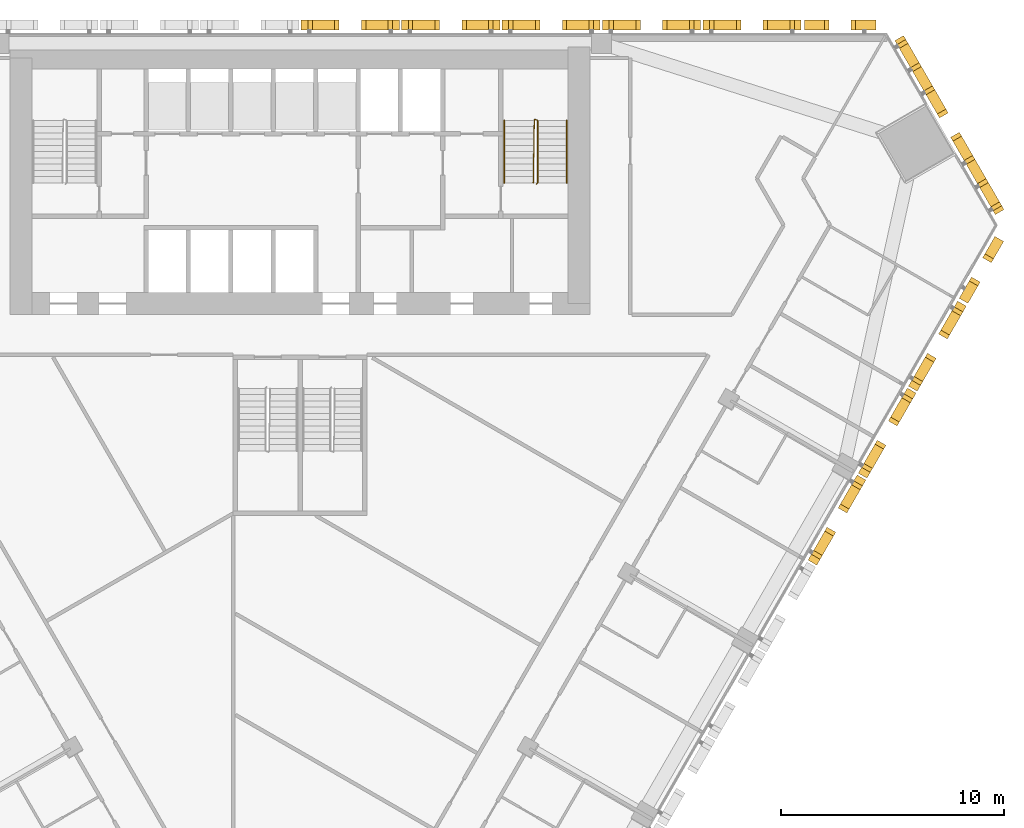
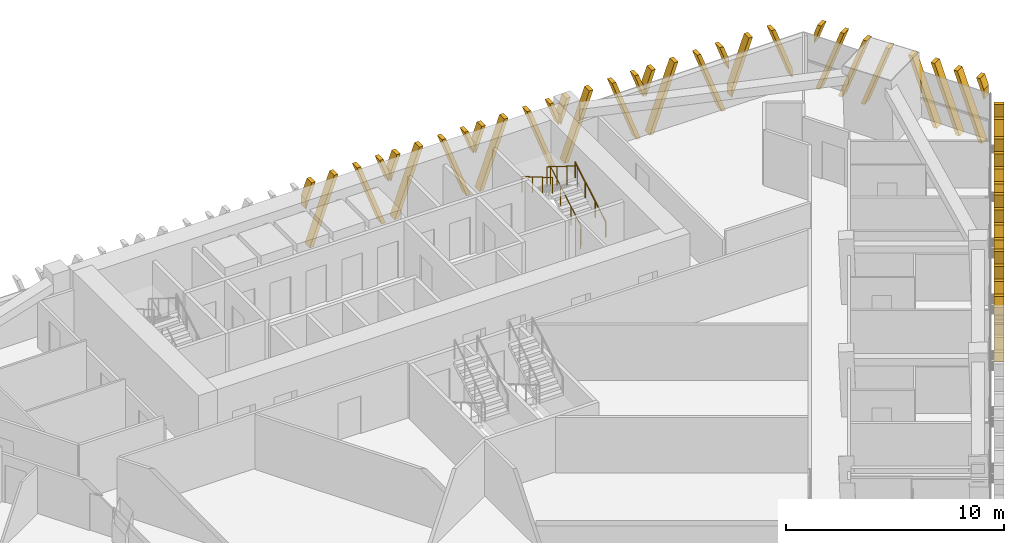
# One storey, part 16 of 17: 11 shading devices, 3 railings.
"""IFC4 building model written with IfcOpenShell, lengths in metres."""

from ifc_helpers import new_model, si_unit, direction, frame, origin, origin_2d, place, context, subcontext, project, spatial, polyline, circle, outline, extrude, source, transform, mapped, material, type_object, element, save


model = new_model("IFC4")

# Units and contexts
model_context = context("Model", 3, precision=1e-05, world=origin(), true_north=direction((0.0, 1.0)))
body_context = subcontext(model_context, "Body", "Model", "MODEL_VIEW")
ifc_project = project(units=[si_unit("LENGTHUNIT", "METRE"), si_unit("AREAUNIT", "SQUARE_METRE"), si_unit("VOLUMEUNIT", "CUBIC_METRE"), si_unit("PLANEANGLEUNIT", "RADIAN"), si_unit("MASSUNIT", "GRAM", prefix="KILO")], contexts=[model_context])

# Site, building, storey
site_placement = place(None, origin())
site = spatial("IfcSite", under=ifc_project, at=site_placement, CompositionType="ELEMENT")
building_placement = place(site_placement, origin())
building = spatial("IfcBuilding", under=site, at=building_placement, Name="Altiplano Prism Tower", CompositionType="ELEMENT")
storey_placement = place(building_placement, frame((0.0, 0.0, 30.60009765625)))
storey = spatial("IfcBuildingStorey", under=building, at=storey_placement, Name="L06", CompositionType="ELEMENT", Elevation=30.60009765625)

# Railings
ifc_material_1 = material(Name="Steel S355", Category="steel")
railing_type_1 = type_object("IfcRailingType", Name="Stair guard 1100", PredefinedType="GUARDRAIL", material=ifc_material_1)
railing_1_placement = place(storey_placement, frame((95.60009765625, 98.25, 0.0)))
element("IfcRailing", 1, at=railing_1_placement, inside=storey, type_object=railing_type_1, Name="L06 ST2 stair guard 1", PredefinedType="GUARDRAIL", context=body_context, shape_type="SweptSolid", body=[
    extrude(circle(Radius=0.02392578125, at=origin_2d()), frame((0.0, 0.0, 1.076171875), z_axis=(0.279546231943, 0.280916556609, 0.91811752648), x_axis=(-0.708833529934, 0.705375805398, 0.0)), (0.0, 0.0, 1.0), 0.17822265625),
    extrude(circle(Radius=0.02392578125, at=origin_2d()), frame((0.0498046875, 0.050048828125, 1.23974609375), z_axis=(0.0, 0.863393664356, 0.504530851732), x_axis=(-1.0, 0.0, 0.0)), (0.0, 0.0, 1.0), 3.2431640625),
    extrude(circle(Radius=0.02392578125, at=origin_2d()), frame((0.0498046875, 2.85009765625, 2.8759765625), z_axis=(-0.948991962702, 0.315300261223, 0.0), x_axis=(-0.315300261223, -0.948991962702, 0.0)), (0.0, 0.0, 1.0), 0.157958984375),
    extrude(circle(Radius=0.02392578125, at=origin_2d()), frame((-0.10009765625, 2.89990234375, 2.8759765625), z_axis=(-0.014846418356, -0.845376787675, 0.533964109957), x_axis=(0.999845825584, -0.017559187376, 0.0)), (0.0, 0.0, 1.0), 3.37109375),
    extrude(circle(Radius=0.02099609375, at=origin_2d()), origin(), (0.0, 0.0, 1.0), 1.052001953125),
    extrude(circle(Radius=0.02099609375, at=origin_2d()), frame((0.0498046875, 0.050048828125, 0.16357421875)), (0.0, 0.0, 1.0), 1.052001953125),
    extrude(circle(Radius=0.02099609375, at=origin_2d()), frame((0.0498046875, 0.9833984375, 0.708984375)), (0.0, 0.0, 1.0), 1.052001953125),
    extrude(circle(Radius=0.02099609375, at=origin_2d()), frame((0.0498046875, 1.916748046875, 1.25439453125)), (0.0, 0.0, 1.0), 1.052001953125),
    extrude(circle(Radius=0.02099609375, at=origin_2d()), frame((0.0498046875, 2.85009765625, 1.7998046875)), (0.0, 0.0, 1.0), 1.052001953125),
    extrude(circle(Radius=0.02099609375, at=origin_2d()), frame((-0.10009765625, 2.89990234375, 1.7998046875)), (0.0, 0.0, 1.0), 1.052001953125),
    extrude(circle(Radius=0.02099609375, at=origin_2d()), frame((-0.11669921875, 1.949951171875, 2.39990234375)), (0.0, 0.0, 1.0), 1.052001953125),
    extrude(circle(Radius=0.02099609375, at=origin_2d()), frame((-0.133544921875, 1.0, 2.999755859375)), (0.0, 0.0, 1.0), 1.052001953125),
    extrude(circle(Radius=0.02099609375, at=origin_2d()), frame((-0.150146484375, 0.050048828125, 3.599853515625)), (0.0, 0.0, 1.0), 1.052001953125),
])
railing_type_2 = type_object("IfcRailingType", Name="Stair handrail 900", PredefinedType="HANDRAIL", material=ifc_material_1)
railing_2_placement = place(storey_placement, frame((96.949951171875, 98.300048828125, 0.16357421875)))
element("IfcRailing", 2, at=railing_2_placement, inside=storey, type_object=railing_type_2, Name="L06 ST2 stair handrail 1", PredefinedType="HANDRAIL", context=body_context, shape_type="SweptSolid", body=[
    extrude(circle(Radius=0.02392578125, at=origin_2d()), frame((0.0, 0.0, 0.8759765625), z_axis=(0.0, 0.863393664356, 0.504530851732), x_axis=(-1.0, 0.0, 0.0)), (0.0, 0.0, 1.0), 3.2431640625),
    extrude(circle(Radius=0.02099609375, at=origin_2d()), origin(), (0.0, 0.0, 1.0), 0.851806640625),
    extrude(circle(Radius=0.02099609375, at=origin_2d()), frame((0.0, 0.933349609375, 0.54541015625)), (0.0, 0.0, 1.0), 0.851806640625),
    extrude(circle(Radius=0.02099609375, at=origin_2d()), frame((0.0, 1.86669921875, 1.0908203125)), (0.0, 0.0, 1.0), 0.851806640625),
    extrude(circle(Radius=0.02099609375, at=origin_2d()), frame((0.0, 2.800048828125, 1.63623046875)), (0.0, 0.0, 1.0), 0.851806640625),
])
railing_3_placement = place(storey_placement, frame((94.14990234375, 101.10009765625, 1.963623046875)))
element("IfcRailing", 3, at=railing_3_placement, inside=storey, type_object=railing_type_2, Name="L06 ST2 stair handrail 2", PredefinedType="HANDRAIL", context=body_context, shape_type="SweptSolid", body=[
    extrude(circle(Radius=0.02392578125, at=origin_2d()), frame((0.0, 0.0, 0.8759765625), z_axis=(0.0, -0.863393664356, 0.504530851732), x_axis=(1.0, 0.0, 0.0)), (0.0, 0.0, 1.0), 3.2431640625),
    extrude(circle(Radius=0.02099609375, at=origin_2d()), origin(), (0.0, 0.0, 1.0), 0.851806640625),
    extrude(circle(Radius=0.02099609375, at=origin_2d()), frame((0.0, -0.933349609375, 0.54541015625)), (0.0, 0.0, 1.0), 0.851806640625),
    extrude(circle(Radius=0.02099609375, at=origin_2d()), frame((0.0, -1.86669921875, 1.0908203125)), (0.0, 0.0, 1.0), 0.851806640625),
    extrude(circle(Radius=0.02099609375, at=origin_2d()), frame((0.0, -2.800048828125, 1.63623046875)), (0.0, 0.0, 1.0), 0.851806640625),
])

# Shading devices
ifc_material_2 = material(Name="Warm limestone cast stone", Category="masonry")
shading_device_type_1 = type_object("IfcShadingDeviceType", Name="Stone fin panel, narrow closing bay", PredefinedType="USERDEFINED", material=ifc_material_2)
shared_shape_1 = source(origin(), body_context, "Body", "SweptSolid", [
    extrude(outline(polyline([(-1.60009765625, 0.577880859375), (-0.5, 3.60009765625), (-0.699951171875, 3.60009765625), (-1.60009765625, 1.127197265625), (-1.60009765625, 0.577880859375)])), frame((0.0, -0.14990234375, 0.0), z_axis=(0.0, -1.0, 0.0), x_axis=(1.0, 0.0, 0.0)), (0.0, 0.0, 1.0), 0.4501953125),
    extrude(outline(polyline([(1.60009765625, 1.127197265625), (0.699951171875, 3.60009765625), (0.5, 3.60009765625), (1.60009765625, 0.577880859375), (1.60009765625, 1.127197265625)])), frame((0.0, -0.14990234375, 0.0), z_axis=(0.0, -1.0, 0.0), x_axis=(1.0, 0.0, 0.0)), (0.0, 0.0, 1.0), 0.4501953125),
])
shading_device_1_placement = place(storey_placement, origin())
element("IfcShadingDevice", 4, at=shading_device_1_placement, inside=storey, type_object=shading_device_type_1, Name="Fin L06 north face 1", ObjectType="FIN", PredefinedType="USERDEFINED", context=body_context, shape_type="MappedRepresentation", body=[
    mapped(shared_shape_1, transform((109.195068359375, 105.0, -0.5), x_axis=(-1.0, 0.0, 0.0), y_axis=(0.0, -1.0, 0.0), z_axis=(0.0, 0.0, 1.0))),
])
shading_device_2_placement = place(storey_placement, origin())
element("IfcShadingDevice", 5, at=shading_device_2_placement, inside=storey, type_object=shading_device_type_1, Name="Fin L06 south-east face 12", ObjectType="FIN", PredefinedType="USERDEFINED", context=body_context, shape_type="MappedRepresentation", body=[
    mapped(shared_shape_1, transform((115.2041015625, 94.592041015625, -0.5), x_axis=(0.50000000184, 0.866025402722, 0.0), y_axis=(-0.866025402722, 0.50000000184, 0.0), z_axis=(0.0, 0.0, 1.0))),
])
shading_device_type_2 = type_object("IfcShadingDeviceType", Name="Stone fin panel, standard unit", PredefinedType="USERDEFINED", material=ifc_material_2)
shared_shape_2 = source(origin(), body_context, "Body", "SweptSolid", [
    extrude(outline(polyline([(-2.199951171875, 2.226318359375), (-1.699951171875, 3.60009765625), (-1.89990234375, 3.60009765625), (-2.199951171875, 2.77587890625), (-2.199951171875, 2.226318359375)])), frame((0.0, -0.14990234375, 0.0), z_axis=(0.0, -1.0, 0.0), x_axis=(1.0, 0.0, 0.0)), (0.0, 0.0, 1.0), 0.4501953125),
    extrude(outline(polyline([(-2.01025390625, 0.0), (-1.810302734375, 0.0), (-0.5, 3.60009765625), (-0.699951171875, 3.60009765625), (-2.01025390625, 0.0)])), frame((0.0, -0.14990234375, 0.0), z_axis=(0.0, -1.0, 0.0), x_axis=(1.0, 0.0, 0.0)), (0.0, 0.0, 1.0), 0.4501953125),
    extrude(outline(polyline([(1.810302734375, 0.0), (2.01025390625, 0.0), (0.699951171875, 3.60009765625), (0.5, 3.60009765625), (1.810302734375, 0.0)])), frame((0.0, -0.14990234375, 0.0), z_axis=(0.0, -1.0, 0.0), x_axis=(1.0, 0.0, 0.0)), (0.0, 0.0, 1.0), 0.4501953125),
    extrude(outline(polyline([(2.199951171875, 2.77587890625), (1.89990234375, 3.60009765625), (1.699951171875, 3.60009765625), (2.199951171875, 2.226318359375), (2.199951171875, 2.77587890625)])), frame((0.0, -0.14990234375, 0.0), z_axis=(0.0, -1.0, 0.0), x_axis=(1.0, 0.0, 0.0)), (0.0, 0.0, 1.0), 0.4501953125),
])
shading_device_3_placement = place(storey_placement, origin())
element("IfcShadingDevice", 6, at=shading_device_3_placement, inside=storey, type_object=shading_device_type_2, Name="Fin L06 north face 2", ObjectType="FIN", PredefinedType="USERDEFINED", context=body_context, shape_type="MappedRepresentation", body=[
    mapped(shared_shape_2, transform((105.25, 105.0, -0.5), x_axis=(-1.0, 0.0, 0.0), y_axis=(0.0, -1.0, 0.0), z_axis=(0.0, 0.0, 1.0))),
])
shading_device_4_placement = place(storey_placement, origin())
element("IfcShadingDevice", 7, at=shading_device_4_placement, inside=storey, type_object=shading_device_type_2, Name="Fin L06 north face 3", ObjectType="FIN", PredefinedType="USERDEFINED", context=body_context, shape_type="MappedRepresentation", body=[
    mapped(shared_shape_2, transform((100.75, 105.0, -0.5), x_axis=(-1.0, 0.0, 0.0), y_axis=(0.0, -1.0, 0.0), z_axis=(0.0, 0.0, 1.0))),
])
shading_device_5_placement = place(storey_placement, origin())
element("IfcShadingDevice", 8, at=shading_device_5_placement, inside=storey, type_object=shading_device_type_2, Name="Fin L06 north face 4", ObjectType="FIN", PredefinedType="USERDEFINED", context=body_context, shape_type="MappedRepresentation", body=[
    mapped(shared_shape_2, transform((96.25, 105.0, -0.5), x_axis=(-1.0, 0.0, 0.0), y_axis=(0.0, -1.0, 0.0), z_axis=(0.0, 0.0, 1.0))),
])
shading_device_6_placement = place(storey_placement, origin())
element("IfcShadingDevice", 9, at=shading_device_6_placement, inside=storey, type_object=shading_device_type_2, Name="Fin L06 north face 5", ObjectType="FIN", PredefinedType="USERDEFINED", context=body_context, shape_type="MappedRepresentation", body=[
    mapped(shared_shape_2, transform((91.75, 105.0, -0.5), x_axis=(-1.0, 0.0, 0.0), y_axis=(0.0, -1.0, 0.0), z_axis=(0.0, 0.0, 1.0))),
])
shading_device_7_placement = place(storey_placement, origin())
element("IfcShadingDevice", 10, at=shading_device_7_placement, inside=storey, type_object=shading_device_type_2, Name="Fin L06 north face 6", ObjectType="FIN", PredefinedType="USERDEFINED", context=body_context, shape_type="MappedRepresentation", body=[
    mapped(shared_shape_2, transform((87.25, 105.0, -0.5), x_axis=(-1.0, 0.0, 0.0), y_axis=(0.0, -1.0, 0.0), z_axis=(0.0, 0.0, 1.0))),
])
shading_device_8_placement = place(storey_placement, origin())
element("IfcShadingDevice", 11, at=shading_device_8_placement, inside=storey, type_object=shading_device_type_2, Name="Fin L06 south-east face 9", ObjectType="FIN", PredefinedType="USERDEFINED", context=body_context, shape_type="MappedRepresentation", body=[
    mapped(shared_shape_2, transform((108.7314453125, 83.38134765625, -0.5), x_axis=(0.50000000184, 0.866025402722, 0.0), y_axis=(-0.866025402722, 0.50000000184, 0.0), z_axis=(0.0, 0.0, 1.0))),
])
shading_device_9_placement = place(storey_placement, origin())
element("IfcShadingDevice", 12, at=shading_device_9_placement, inside=storey, type_object=shading_device_type_2, Name="Fin L06 south-east face 10", ObjectType="FIN", PredefinedType="USERDEFINED", context=body_context, shape_type="MappedRepresentation", body=[
    mapped(shared_shape_2, transform((110.9814453125, 87.278564453125, -0.5), x_axis=(0.50000000184, 0.866025402722, 0.0), y_axis=(-0.866025402722, 0.50000000184, 0.0), z_axis=(0.0, 0.0, 1.0))),
])
shading_device_10_placement = place(storey_placement, origin())
element("IfcShadingDevice", 13, at=shading_device_10_placement, inside=storey, type_object=shading_device_type_2, Name="Fin L06 south-east face 11", ObjectType="FIN", PredefinedType="USERDEFINED", context=body_context, shape_type="MappedRepresentation", body=[
    mapped(shared_shape_2, transform((113.2314453125, 91.175537109375, -0.5), x_axis=(0.50000000184, 0.866025402722, 0.0), y_axis=(-0.866025402722, 0.50000000184, 0.0), z_axis=(0.0, 0.0, 1.0))),
])
shading_device_type_3 = type_object("IfcShadingDeviceType", Name="Stone fin panel, chamfer unit", PredefinedType="USERDEFINED", material=ifc_material_2)
shared_shape_3 = source(origin(), body_context, "Body", "SweptSolid", [
    extrude(outline(polyline([(-4.5, 2.5009765625), (-4.10009765625, 3.60009765625), (-4.300048828125, 3.60009765625), (-4.5, 3.050537109375), (-4.5, 2.5009765625)])), frame((0.0, -0.14990234375, 0.0), z_axis=(0.0, -1.0, 0.0), x_axis=(1.0, 0.0, 0.0)), (0.0, 0.0, 1.0), 0.4501953125),
    extrude(outline(polyline([(-4.410400390625, 0.0), (-4.210205078125, 0.0), (-2.89990234375, 3.60009765625), (-3.10009765625, 3.60009765625), (-4.410400390625, 0.0)])), frame((0.0, -0.14990234375, 0.0), z_axis=(0.0, -1.0, 0.0), x_axis=(1.0, 0.0, 0.0)), (0.0, 0.0, 1.0), 0.4501953125),
    extrude(outline(polyline([(-3.210205078125, 0.0), (-3.01025390625, 0.0), (-1.699951171875, 3.60009765625), (-1.89990234375, 3.60009765625), (-3.210205078125, 0.0)])), frame((0.0, -0.14990234375, 0.0), z_axis=(0.0, -1.0, 0.0), x_axis=(1.0, 0.0, 0.0)), (0.0, 0.0, 1.0), 0.4501953125),
    extrude(outline(polyline([(-2.01025390625, 0.0), (-1.810302734375, 0.0), (-0.5, 3.60009765625), (-0.699951171875, 3.60009765625), (-2.01025390625, 0.0)])), frame((0.0, -0.14990234375, 0.0), z_axis=(0.0, -1.0, 0.0), x_axis=(1.0, 0.0, 0.0)), (0.0, 0.0, 1.0), 0.4501953125),
    extrude(outline(polyline([(1.810302734375, 0.0), (2.01025390625, 0.0), (0.699951171875, 3.60009765625), (0.5, 3.60009765625), (1.810302734375, 0.0)])), frame((0.0, -0.14990234375, 0.0), z_axis=(0.0, -1.0, 0.0), x_axis=(1.0, 0.0, 0.0)), (0.0, 0.0, 1.0), 0.4501953125),
    extrude(outline(polyline([(3.01025390625, 0.0), (3.210205078125, 0.0), (1.89990234375, 3.60009765625), (1.699951171875, 3.60009765625), (3.01025390625, 0.0)])), frame((0.0, -0.14990234375, 0.0), z_axis=(0.0, -1.0, 0.0), x_axis=(1.0, 0.0, 0.0)), (0.0, 0.0, 1.0), 0.4501953125),
    extrude(outline(polyline([(4.210205078125, 0.0), (4.410400390625, 0.0), (3.10009765625, 3.60009765625), (2.89990234375, 3.60009765625), (4.210205078125, 0.0)])), frame((0.0, -0.14990234375, 0.0), z_axis=(0.0, -1.0, 0.0), x_axis=(1.0, 0.0, 0.0)), (0.0, 0.0, 1.0), 0.4501953125),
    extrude(outline(polyline([(4.5, 3.050537109375), (4.300048828125, 3.60009765625), (4.10009765625, 3.60009765625), (4.5, 2.5009765625), (4.5, 3.050537109375)])), frame((0.0, -0.14990234375, 0.0), z_axis=(0.0, -1.0, 0.0), x_axis=(1.0, 0.0, 0.0)), (0.0, 0.0, 1.0), 0.4501953125),
])
shading_device_11_placement = place(storey_placement, origin())
element("IfcShadingDevice", 14, at=shading_device_11_placement, inside=storey, type_object=shading_device_type_3, Name="Fin L06 north-east chamfer 1", ObjectType="FIN", PredefinedType="USERDEFINED", context=body_context, shape_type="MappedRepresentation", body=[
    mapped(shared_shape_3, transform((113.770751953125, 100.703125, -0.5), x_axis=(-0.500000003023, 0.866025402039, 0.0), y_axis=(-0.866025402039, -0.500000003023, 0.0), z_axis=(0.0, 0.0, 1.0))),
])

save(model, "model.ifc")
